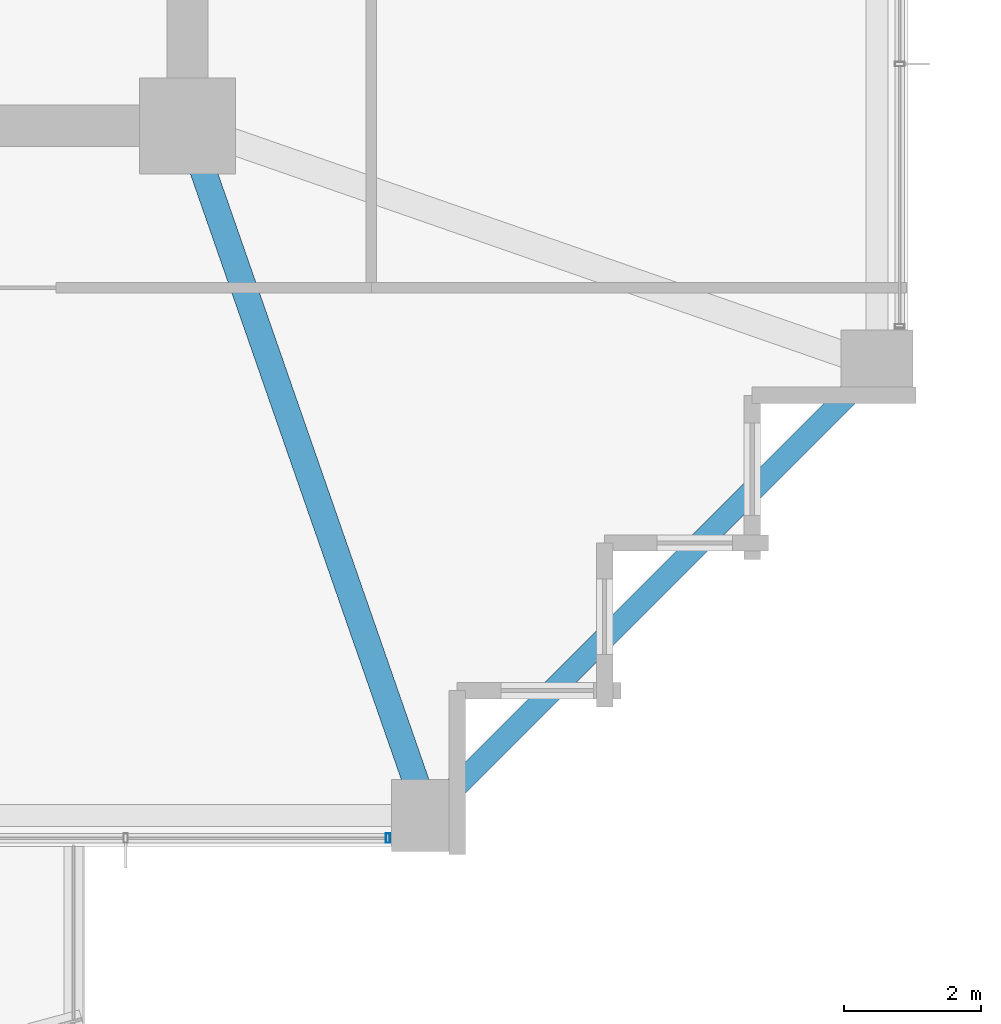
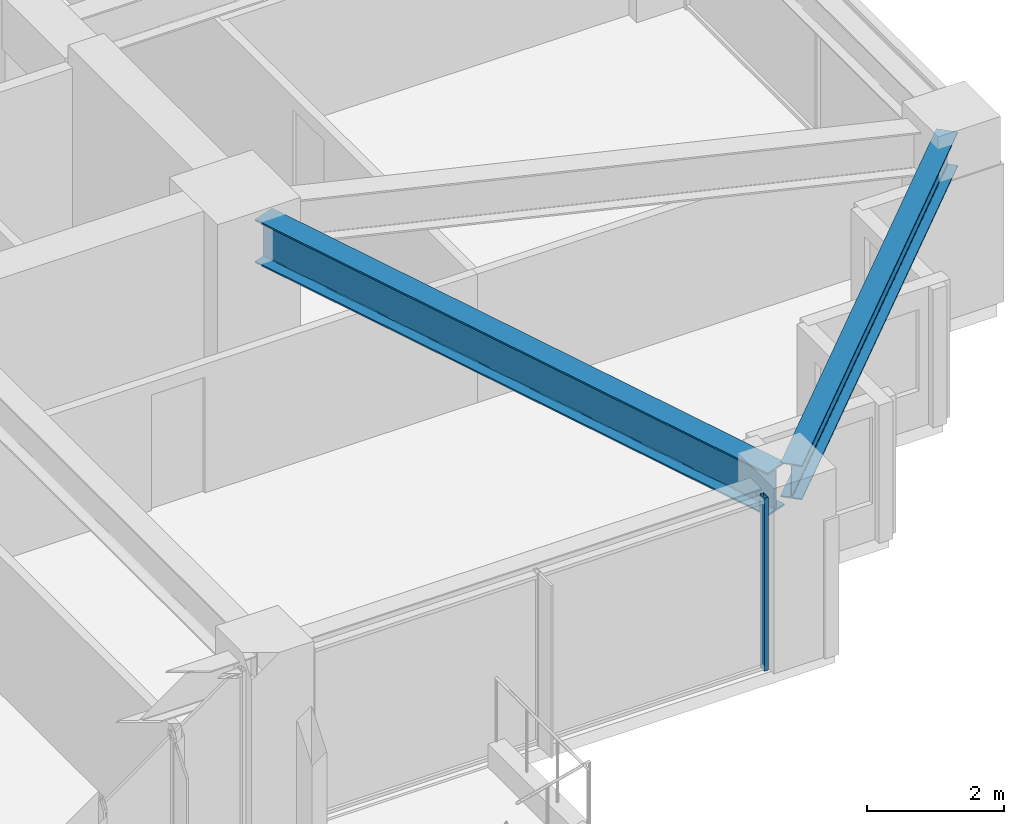
# One storey, part 13 of 38: 2 beams, 1 member, 1 element without a shape of its own.
"""IFC4 building model written with IfcOpenShell, lengths in metres."""

from ifc_helpers import new_model, si_unit, direction, frame, origin, origin_2d, place, context, subcontext, project, spatial, hollow_rectangle, i_section, extrude, material, material_profile, profile_set, type_object, element, aggregate, save


model = new_model("IFC4")

# Units and contexts
model_context = context("Model", 3, precision=1e-05, world=origin(), true_north=direction((0.0, 1.0)))
body_context = subcontext(model_context, "Body", "Model", "MODEL_VIEW")
ifc_project = project(units=[si_unit("LENGTHUNIT", "METRE"), si_unit("AREAUNIT", "SQUARE_METRE"), si_unit("VOLUMEUNIT", "CUBIC_METRE"), si_unit("PLANEANGLEUNIT", "RADIAN"), si_unit("MASSUNIT", "GRAM", prefix="KILO")], contexts=[model_context])

# Site, building, storey
site_placement = place(None, origin())
site = spatial("IfcSite", under=ifc_project, at=site_placement, CompositionType="ELEMENT")
building_placement = place(site_placement, origin())
building = spatial("IfcBuilding", under=site, at=building_placement, Name="Kolvaren Belvedere", CompositionType="ELEMENT")
storey_placement = place(building_placement, frame((0.0, 0.0, 78.800048828125)))
storey = spatial("IfcBuildingStorey", under=building, at=storey_placement, Name="L22", CompositionType="ELEMENT", Elevation=78.800048828125)

# Beams
ifc_material_1 = material(Name="Structural steel ASTM A992 Grade 50", Category="steel")
ifc_material_profile_1 = material_profile(ifc_material_1, i_section(OverallWidth=0.381103515625, OverallDepth=0.77294921875, WebThickness=0.0166015625, FlangeThickness=0.027099609375, FilletRadius=0.02392578125, at=origin_2d()), Name="W30X173")
ifc_profile_set_1 = profile_set([ifc_material_profile_1], Name="Structural steel ASTM A992 Grade 50")
beam_type_1 = type_object("IfcBeamType", Name="BM-GIRD-W30X173", PredefinedType="BEAM", material=ifc_profile_set_1)
beam_1_placement = place(storey_placement, frame((10.080810546875, -10.41943359375, 2.693359375), z_axis=(0.328880894453, -0.944371408538, 0.0), x_axis=(0.944371408538, 0.328880894453, 0.0)))
element("IfcBeam", 1, at=beam_1_placement, inside=storey, type_object=beam_type_1, Name="L22 Corner Core-to-Perimeter Girder CC2-S4", PredefinedType="BEAM", context=body_context, shape_type="SweptSolid", body=[
    extrude(i_section(OverallWidth=0.381103515625, OverallDepth=0.77294921875, WebThickness=0.0166015625, FlangeThickness=0.027099609375, FilletRadius=0.02392578125, at=origin_2d()), origin(), (0.0, 0.0, 1.0), 9.882080078125),
])
ifc_material_2 = material(Name="Structural steel ASTM A992 Grade 50", Category="steel")
ifc_material_profile_2 = material_profile(ifc_material_2, i_section(OverallWidth=0.324951171875, OverallDepth=0.615966796875, WebThickness=0.013916015625, FlangeThickness=0.021484375, FilletRadius=0.02001953125, at=origin_2d()), Name="W24X117")
ifc_profile_set_2 = profile_set([ifc_material_profile_2], Name="Structural steel ASTM A992 Grade 50")
beam_type_2 = type_object("IfcBeamType", Name="BM-SPAN-W24X117", PredefinedType="SPANDREL", material=ifc_profile_set_2)
beam_2_placement = place(storey_placement, frame((13.567138671875, -19.782958984375, 2.77197265625), z_axis=(0.707106781187, 0.707106781187, 0.0), x_axis=(-0.707106781187, 0.707106781187, 0.0)))
element("IfcBeam", 2, at=beam_2_placement, inside=storey, type_object=beam_type_2, Name="L22 Perimeter Spandrel S4-E1", PredefinedType="SPANDREL", context=body_context, shape_type="SweptSolid", body=[
    extrude(i_section(OverallWidth=0.324951171875, OverallDepth=0.615966796875, WebThickness=0.013916015625, FlangeThickness=0.021484375, FilletRadius=0.02001953125, at=origin_2d()), origin(), (0.0, 0.0, 1.0), 8.79052734375),
])

# Curtain wall, member
ifc_material_3 = material(Name="Anodised pale-metal aluminium AA 6063-T6", Category="aluminium")
curtain_wall_type = type_object("IfcCurtainWallType", Name="CW-Z2-MID", PredefinedType="NOTDEFINED", material=ifc_material_3)
curtain_wall_placement = place(storey_placement, origin())
curtain_wall = element("IfcCurtainWall", 3, at=curtain_wall_placement, inside=storey, type_object=curtain_wall_type, Name="L22 Unitised Curtain Wall FCW-L22-S1-B1", PredefinedType="NOTDEFINED")
ifc_material_4 = material(Name="Anodised pale-metal aluminium AA 6063-T6", Category="aluminium")
ifc_material_profile_3 = material_profile(ifc_material_4, hollow_rectangle(XDim=0.06494140625, YDim=0.139892578125, WallThickness=0.00390625, at=origin_2d()), Name="ALU-MUL-140X65")
ifc_profile_set_3 = profile_set([ifc_material_profile_3], Name="Anodised pale-metal aluminium AA 6063-T6")
member_type = type_object("IfcMemberType", Name="CW-MUL-140", PredefinedType="MULLION", material=ifc_profile_set_3)
member_placement = place(storey_placement, frame((12.822509765625, -20.280029296875, 0.0), z_axis=(0.0, 0.0, 1.0), x_axis=(1.0, 0.0, 0.0)))
member = element("IfcMember", 4, at=member_placement, type_object=member_type, Name="FCW-L22-S1-B1 Unitised Mullion 1", PredefinedType="MULLION", context=body_context, shape_type="SweptSolid", body=[
    extrude(hollow_rectangle(XDim=0.06494140625, YDim=0.139892578125, WallThickness=0.00390625, at=origin_2d()), origin(), (0.0, 0.0, 1.0), 3.079833984375),
])
aggregate(curtain_wall, [member])

save(model, "model.ifc")
